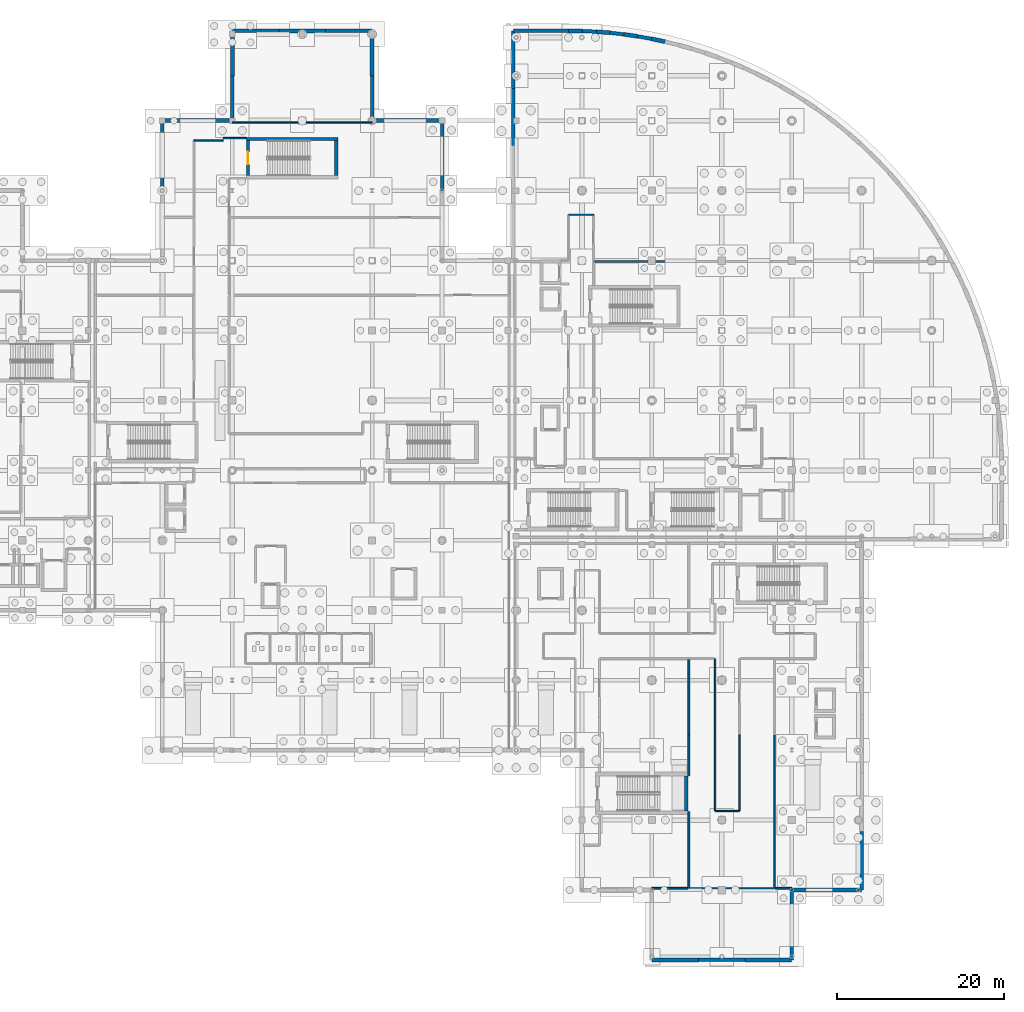
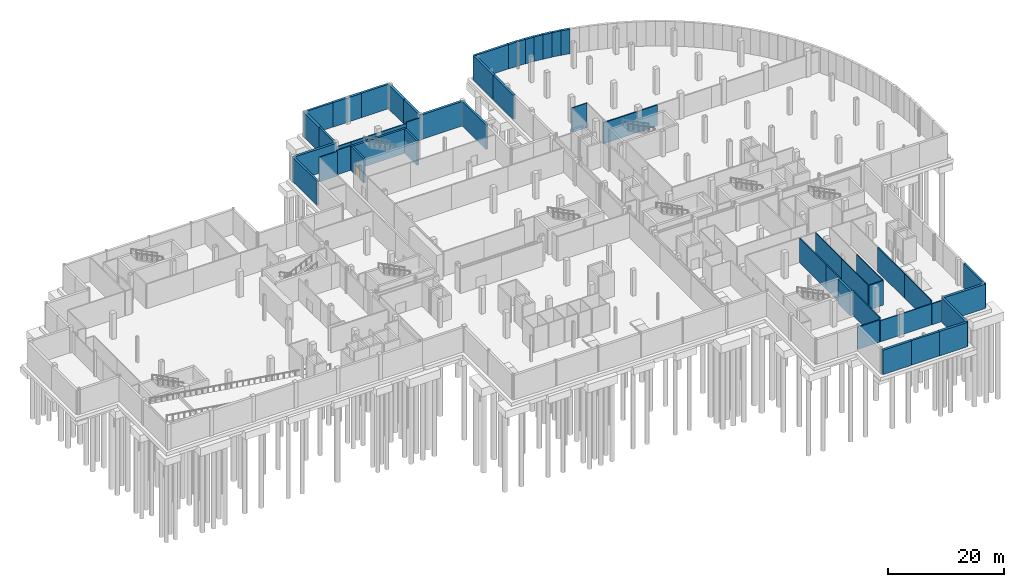
# One storey, part 33 of 49: 50 walls, 1 door, 1 opening.
"""IFC4 building model written with IfcOpenShell, lengths in metres."""

from ifc_helpers import new_model, si_unit, direction, frame, frame_2d, origin, place, context, subcontext, project, spatial, rectangle, extrude, material, layer, layer_set, type_object, element, fill, save


model = new_model("IFC4")

# Units and contexts
model_context = context("Model", 3, precision=1e-05, world=origin(), true_north=direction((0.0, 1.0)))
body_context = subcontext(model_context, "Body", "Model", "MODEL_VIEW")
ifc_project = project(units=[si_unit("LENGTHUNIT", "METRE"), si_unit("AREAUNIT", "SQUARE_METRE"), si_unit("VOLUMEUNIT", "CUBIC_METRE"), si_unit("PLANEANGLEUNIT", "RADIAN"), si_unit("MASSUNIT", "GRAM", prefix="KILO"), si_unit("THERMODYNAMICTEMPERATUREUNIT", "KELVIN")], contexts=[model_context])

# Site, building, storey
site_placement = place(None, origin())
site = spatial("IfcSite", under=ifc_project, at=site_placement, CompositionType="ELEMENT")
building_placement = place(site_placement, origin())
building = spatial("IfcBuilding", under=site, at=building_placement, Name="Lustrewick Department Store", CompositionType="ELEMENT")
storey_placement = place(building_placement, frame((0.0, 0.0, -5.39990234375)))
storey = spatial("IfcBuildingStorey", under=building, at=storey_placement, Name="B1", CompositionType="ELEMENT", Elevation=-5.39990234375)

# Walls
ifc_material_1 = material(Name="Autoclaved aerated concrete blockwork and fire board", Category="masonry")
ifc_layer_1 = layer(ifc_material_1, 0.219970703125, Name="Autoclaved aerated concrete blockwork and fire board")
ifc_layer_set_1 = layer_set([ifc_layer_1], Name="Autoclaved aerated concrete blockwork and fire board")
wall_type_1 = type_object("IfcWallType", Name="PW01", PredefinedType="PARTITIONING", material=ifc_layer_set_1)
wall_1_placement = place(storey_placement, frame((130.440185546875, 8.610107421875, 0.0), z_axis=(0.0, 0.0, 1.0), x_axis=(0.0, 1.0, 0.0)))
element("IfcWall", 1, at=wall_1_placement, inside=storey, type_object=wall_type_1, Name="B1 V3 Reserve Stockroom 1 PW01", PredefinedType="PARTITIONING", context=body_context, shape_type="SweptSolid", body=[
    extrude(rectangle(XDim=9.193115234375, YDim=0.219970703125, at=frame_2d((4.5966796875, 0.0))), origin(), (0.0, 0.0, 1.0), 5.14501953125),
])
wall_2_placement = place(storey_placement, frame((130.440185546875, 22.10009765625, 0.0), z_axis=(0.0, 0.0, 1.0), x_axis=(0.0, 1.0, 0.0)))
element("IfcWall", 2, at=wall_2_placement, inside=storey, type_object=wall_type_1, Name="B1 V3 Reserve Stockroom 1 PW01", PredefinedType="PARTITIONING", context=body_context, shape_type="SweptSolid", body=[
    extrude(rectangle(XDim=4.896484375, YDim=0.219970703125, at=frame_2d((2.4482421875, 0.0))), origin(), (0.0, 0.0, 1.0), 5.14501953125),
])
wall_3_placement = place(storey_placement, frame((130.440185546875, 26.99658203125, 0.0), z_axis=(0.0, 0.0, 1.0), x_axis=(0.0, 1.0, 0.0)))
element("IfcWall", 3, at=wall_3_placement, inside=storey, type_object=wall_type_1, Name="B1 V3 Reserve Stockroom 1 PW01", PredefinedType="PARTITIONING", context=body_context, shape_type="SweptSolid", body=[
    extrude(rectangle(XDim=9.08837890625, YDim=0.219970703125, at=frame_2d((4.544189453125, 0.0))), origin(), (0.0, 0.0, 1.0), 5.14501953125),
])
wall_4_placement = place(storey_placement, frame((126.0, 8.610107421875, 0.0), z_axis=(0.0, 0.0, 1.0), x_axis=(1.0, 0.0, 0.0)))
element("IfcWall", 4, at=wall_4_placement, inside=storey, type_object=wall_type_1, Name="B1 V3 Reserve Stockroom 1 PW01", PredefinedType="PARTITIONING", context=body_context, shape_type="SweptSolid", body=[
    extrude(rectangle(XDim=4.335205078125, YDim=0.219970703125, at=frame_2d((2.16748046875, 0.0))), origin(), (0.0, 0.0, 1.0), 4.671875),
])
wall_5_placement = place(storey_placement, frame((140.788818359375, 8.610107421875, 0.0), z_axis=(0.0, 0.0, 1.0), x_axis=(1.0, 0.0, 0.0)))
element("IfcWall", 5, at=wall_5_placement, inside=storey, type_object=wall_type_1, Name="B1 Merchandise Receiving Room PW01", PredefinedType="PARTITIONING", context=body_context, shape_type="SweptSolid", body=[
    extrude(rectangle(XDim=2.01123046875, YDim=0.219970703125, at=frame_2d((1.005615234375, 0.0))), origin(), (0.0, 0.0, 1.0), 4.421875),
])
wall_6_placement = place(storey_placement, frame((129.691650390625, 83.88818359375, 0.0), z_axis=(0.0, 0.0, 1.0), x_axis=(-1.0, 0.0, 0.0)))
element("IfcWall", 6, at=wall_6_placement, inside=storey, type_object=wall_type_1, Name="B1 Central Merchandise Stockroom PW01", PredefinedType="PARTITIONING", context=body_context, shape_type="SweptSolid", body=[
    extrude(rectangle(XDim=10.681640625, YDim=0.219970703125, at=frame_2d((5.3408203125, 0.0))), origin(), (0.0, 0.0, 1.0), 4.413818359375),
])
ifc_material_2 = material(Name="Double-stud gypsum fire board with mineral wool", Category="gypsum")
ifc_layer_2 = layer(ifc_material_2, 0.1650390625, Name="Double-stud gypsum fire board with mineral wool")
ifc_layer_set_2 = layer_set([ifc_layer_2], Name="Double-stud gypsum fire board with mineral wool")
wall_type_2 = type_object("IfcWallType", Name="PW04", PredefinedType="PARTITIONING", material=ifc_layer_set_2)
wall_7_placement = place(storey_placement, frame((71.0, 98.409912109375, 0.0), z_axis=(0.0, 0.0, 1.0), x_axis=(1.0, 0.0, 0.0)))
element("IfcWall", 7, at=wall_7_placement, inside=storey, type_object=wall_type_2, Name="B1 Standby Diesel Power Room PW04", PredefinedType="PARTITIONING", context=body_context, shape_type="SweptSolid", body=[
    extrude(rectangle(XDim=3.489990234375, YDim=0.1650390625, at=frame_2d((1.7451171875, 0.0))), origin(), (0.0, 0.0, 1.0), 5.14501953125),
])
wall_8_placement = place(storey_placement, frame((74.5, 98.7099609375, 0.0), z_axis=(0.0, 0.0, 1.0), x_axis=(1.0, 0.0, 0.0)))
element("IfcWall", 8, at=wall_8_placement, inside=storey, type_object=wall_type_2, Name="B1 Standby Diesel Power Room PW04", PredefinedType="PARTITIONING", context=body_context, shape_type="SweptSolid", body=[
    extrude(rectangle(XDim=2.800048828125, YDim=0.1650390625, at=frame_2d((1.39990234375, 0.0))), origin(), (0.0, 0.0, 1.0), 5.14501953125),
])
wall_9_placement = place(storey_placement, frame((92.39990234375, 100.590087890625, 0.0), z_axis=(0.0, 0.0, 1.0), x_axis=(-1.0, 0.0, 0.0)))
element("IfcWall", 9, at=wall_9_placement, inside=storey, type_object=wall_type_2, Name="B1 Standby Diesel Power Room PW04", PredefinedType="PARTITIONING", context=body_context, shape_type="SweptSolid", body=[
    extrude(rectangle(XDim=2.869873046875, YDim=0.1650390625, at=frame_2d((1.43505859375, 0.0))), origin(), (0.0, 0.0, 1.0), 4.671875),
])
wall_10_placement = place(storey_placement, frame((89.530029296875, 100.590087890625, 0.0), z_axis=(0.0, 0.0, 1.0), x_axis=(-1.0, 0.0, 0.0)))
element("IfcWall", 10, at=wall_10_placement, inside=storey, type_object=wall_type_2, Name="B1 Standby Diesel Power Room PW04", PredefinedType="PARTITIONING", context=body_context, shape_type="SweptSolid", body=[
    extrude(rectangle(XDim=11.06005859375, YDim=0.1650390625, at=frame_2d((5.530029296875, 0.0))), origin(), (0.0, 0.0, 1.0), 4.413818359375),
])
wall_11_placement = place(storey_placement, frame((78.469970703125, 100.590087890625, 0.0), z_axis=(0.0, 0.0, 1.0), x_axis=(-1.0, 0.0, 0.0)))
element("IfcWall", 11, at=wall_11_placement, inside=storey, type_object=wall_type_2, Name="B1 Standby Diesel Power Room PW04", PredefinedType="PARTITIONING", context=body_context, shape_type="SweptSolid", body=[
    extrude(rectangle(XDim=2.869873046875, YDim=0.1650390625, at=frame_2d((1.43505859375, 0.0))), origin(), (0.0, 0.0, 1.0), 4.413818359375),
])
for number, where, z_axis, x_axis, name in (
    (12, (136.510009765625, 27.044921875, 0.0), (0.0, 0.0, 1.0), (0.0, -1.0, 0.0), "B1 Fire Pump Room PW04"),
    (13, (133.590087890625, 17.89990234375, 0.0), (0.0, 0.0, 1.0), (0.0, 1.0, 0.0), "B1 Fire Pump Room PW04"),
    (14, (133.590087890625, 27.044921875, 0.0), (0.0, 0.0, 1.0), (0.0, 1.0, 0.0), "B1 Fire Pump Room PW04"),
):
    element("IfcWall", number, at=place(storey_placement, frame(where, z_axis=z_axis, x_axis=x_axis)), inside=storey, type_object=wall_type_2, Name=name, PredefinedType="PARTITIONING", context=body_context, shape_type="SweptSolid", body=[
        extrude(rectangle(XDim=9.14501953125, YDim=0.1650390625, at=frame_2d((4.572509765625, 0.0))), origin(), (0.0, 0.0, 1.0), 5.14501953125),
    ])
wall_12_placement = place(storey_placement, frame((136.5, 17.889892578125, 0.0), z_axis=(0.0, 0.0, 1.0), x_axis=(-1.0, 0.0, 0.0)))
element("IfcWall", 15, at=wall_12_placement, inside=storey, type_object=wall_type_2, Name="B1 Fire Pump Room PW04", PredefinedType="PARTITIONING", context=body_context, shape_type="SweptSolid", body=[
    extrude(rectangle(XDim=2.89990234375, YDim=0.1650390625, at=frame_2d((1.449951171875, 0.0))), origin(), (0.0, 0.0, 1.0), 5.14501953125),
])
wall_13_placement = place(storey_placement, frame((140.71142578125, 8.610107421875, 0.0), z_axis=(0.0, 0.0, 1.0), x_axis=(0.0, 1.0, 0.0)))
element("IfcWall", 16, at=wall_13_placement, inside=storey, type_object=wall_type_2, Name="B1 Fire Pump Room PW04", PredefinedType="PARTITIONING", context=body_context, shape_type="SweptSolid", body=[
    extrude(rectangle(XDim=9.193115234375, YDim=0.1650390625, at=frame_2d((4.5966796875, 0.0))), origin(), (0.0, 0.0, 1.0), 5.14501953125),
])
wall_14_placement = place(storey_placement, frame((140.71142578125, 17.80322265625, 0.0), z_axis=(0.0, 0.0, 1.0), x_axis=(0.0, 1.0, 0.0)))
element("IfcWall", 17, at=wall_14_placement, inside=storey, type_object=wall_type_2, Name="B1 Fire Pump Room PW04", PredefinedType="PARTITIONING", context=body_context, shape_type="SweptSolid", body=[
    extrude(rectangle(XDim=9.193359375, YDim=0.1650390625, at=frame_2d((4.5966796875, 0.0))), origin(), (0.0, 0.0, 1.0), 5.14501953125),
])
wall_15_placement = place(storey_placement, frame((130.545166015625, 8.610107421875, 0.0), z_axis=(0.0, 0.0, 1.0), x_axis=(1.0, 0.0, 0.0)))
element("IfcWall", 18, at=wall_15_placement, inside=storey, type_object=wall_type_2, Name="B1 Fire Pump Room PW04", PredefinedType="PARTITIONING", context=body_context, shape_type="SweptSolid", body=[
    extrude(rectangle(XDim=10.088623046875, YDim=0.1650390625, at=frame_2d((5.04443359375, 0.0))), origin(), (0.0, 0.0, 1.0), 4.421875),
])
wall_16_placement = place(storey_placement, frame((116.0, 89.510009765625, 0.0), z_axis=(0.0, 0.0, 1.0), x_axis=(1.0, 0.0, 0.0)))
element("IfcWall", 19, at=wall_16_placement, inside=storey, type_object=wall_type_2, Name="B1 AHU Mechanical Plant PW04", PredefinedType="PARTITIONING", context=body_context, shape_type="SweptSolid", body=[
    extrude(rectangle(XDim=3.0, YDim=0.1650390625, at=frame_2d((1.5, 0.0))), origin(), (0.0, 0.0, 1.0), 5.14501953125),
])
ifc_material_3 = material(Name="Concrete C40", Category="concrete")
ifc_layer_3 = layer(ifc_material_3, 0.419921875, Name="Concrete C40")
ifc_layer_set_3 = layer_set([ifc_layer_3], Name="Concrete C40")
wall_type_3 = type_object("IfcWallType", Name="RW01", PredefinedType="USERDEFINED", material=ifc_layer_set_3)
wall_17_placement = place(storey_placement, frame((67.199951171875, 92.39990234375, 0.0), z_axis=(0.0, 0.0, 1.0), x_axis=(0.0, 1.0, 0.0)))
element("IfcWall", 20, at=wall_17_placement, inside=storey, type_object=wall_type_3, Name="B1 Retaining Wall RW01 0039", ObjectType="RETAININGWALL", PredefinedType="USERDEFINED", context=body_context, shape_type="SweptSolid", body=[
    extrude(rectangle(XDim=8.400146484375, YDim=0.419921875, at=frame_2d((4.2001953125, 0.0))), origin(), (0.0, 0.0, 1.0), 5.1298828125),
])
wall_18_placement = place(storey_placement, frame((75.60009765625, 100.800048828125, 0.0), z_axis=(0.0, 0.0, 1.0), x_axis=(0.0, 1.0, 0.0)))
element("IfcWall", 21, at=wall_18_placement, inside=storey, type_object=wall_type_3, Name="B1 Retaining Wall RW01 0041", ObjectType="RETAININGWALL", PredefinedType="USERDEFINED", context=body_context, shape_type="SweptSolid", body=[
    extrude(rectangle(XDim=5.39990234375, YDim=0.419921875, at=frame_2d((2.699951171875, 0.0))), origin(), (0.0, 0.0, 1.0), 5.1298828125),
])
for number, where, z_axis, x_axis, name in (
    (22, (75.60009765625, 111.60009765625, 0.0), (0.0, 0.0, 1.0), (1.0, 0.0, 0.0), "B1 Retaining Wall RW01 0043"),
    (23, (86.800048828125, 111.60009765625, 0.0), (0.0, 0.0, 1.0), (1.0, 0.0, 0.0), "B1 Retaining Wall RW01 0045"),
):
    element("IfcWall", number, at=place(storey_placement, frame(where, z_axis=z_axis, x_axis=x_axis)), inside=storey, type_object=wall_type_3, Name=name, ObjectType="RETAININGWALL", PredefinedType="USERDEFINED", context=body_context, shape_type="SweptSolid", body=[
        extrude(rectangle(XDim=5.599853515625, YDim=0.419921875, at=frame_2d((2.7998046875, 0.0))), origin(), (0.0, 0.0, 1.0), 5.1298828125),
    ])
wall_19_placement = place(storey_placement, frame((92.39990234375, 106.199951171875, 0.0), z_axis=(0.0, 0.0, 1.0), x_axis=(0.0, -1.0, 0.0)))
element("IfcWall", 24, at=wall_19_placement, inside=storey, type_object=wall_type_3, Name="B1 Retaining Wall RW01 0047", ObjectType="RETAININGWALL", PredefinedType="USERDEFINED", context=body_context, shape_type="SweptSolid", body=[
    extrude(rectangle(XDim=5.39990234375, YDim=0.419921875, at=frame_2d((2.699951171875, 0.0))), origin(), (0.0, 0.0, 1.0), 5.1298828125),
])
wall_20_placement = place(storey_placement, frame((100.800048828125, 100.800048828125, 0.0), z_axis=(0.0, 0.0, 1.0), x_axis=(0.0, -1.0, 0.0)))
element("IfcWall", 25, at=wall_20_placement, inside=storey, type_object=wall_type_3, Name="B1 Retaining Wall RW01 0049", ObjectType="RETAININGWALL", PredefinedType="USERDEFINED", context=body_context, shape_type="SweptSolid", body=[
    extrude(rectangle(XDim=8.400146484375, YDim=0.419921875, at=frame_2d((4.2001953125, 0.0))), origin(), (0.0, 0.0, 1.0), 5.1298828125),
])
wall_21_placement = place(storey_placement, frame((109.35009765625, 97.800048828125, 0.0), z_axis=(0.0, 0.0, 1.0), x_axis=(0.0, 1.0, 0.0)))
element("IfcWall", 26, at=wall_21_placement, inside=storey, type_object=wall_type_3, Name="B1 Retaining Wall RW01 0055", ObjectType="RETAININGWALL", PredefinedType="USERDEFINED", context=body_context, shape_type="SweptSolid", body=[
    extrude(rectangle(XDim=6.89990234375, YDim=0.419921875, at=frame_2d((3.449951171875, 0.0))), origin(), (0.0, 0.0, 1.0), 5.1298828125),
])
wall_22_placement = place(storey_placement, frame((109.35009765625, 111.60009765625, 0.0), z_axis=(0.0, 0.0, 1.0), x_axis=(1.0, 0.0, 0.0)))
element("IfcWall", 27, at=wall_22_placement, inside=storey, type_object=wall_type_3, Name="B1 Retaining Wall RW01 0057", ObjectType="RETAININGWALL", PredefinedType="USERDEFINED", context=body_context, shape_type="SweptSolid", body=[
    extrude(rectangle(XDim=6.64990234375, YDim=0.419921875, at=frame_2d((3.324951171875, 0.0))), origin(), (0.0, 0.0, 1.0), 5.1298828125),
])
for number, where, z_axis, x_axis, name in (
    (28, (117.666748046875, 111.5732421875, 0.0), (0.0, 0.0, 1.0), (0.998845493608, -0.048038316995, 0.0), "B1 Retaining Wall RW01 0059"),
    (29, (120.9931640625, 111.359619140625, 0.0), (0.0, 0.0, 1.0), (0.993720125117, -0.111894204214, 0.0), "B1 Retaining Wall RW01 0061"),
):
    element("IfcWall", number, at=place(storey_placement, frame(where, z_axis=z_axis, x_axis=x_axis)), inside=storey, type_object=wall_type_3, Name=name, ObjectType="RETAININGWALL", PredefinedType="USERDEFINED", context=body_context, shape_type="SweptSolid", body=[
        extrude(rectangle(XDim=1.6669921875, YDim=0.419921875, at=frame_2d((0.83349609375, 0.0))), origin(), (0.0, 0.0, 1.0), 5.1298828125),
    ])
wall_23_placement = place(storey_placement, frame((124.29931640625, 110.93359375, 0.0), z_axis=(0.0, 0.0, 1.0), x_axis=(0.984482750638, -0.175481377066, 0.0)))
element("IfcWall", 30, at=wall_23_placement, inside=storey, type_object=wall_type_3, Name="B1 Retaining Wall RW01 0063", ObjectType="RETAININGWALL", PredefinedType="USERDEFINED", context=body_context, shape_type="SweptSolid", body=[
    extrude(rectangle(XDim=1.666748046875, YDim=0.419921875, at=frame_2d((0.83349609375, 0.0))), origin(), (0.0, 0.0, 1.0), 5.1298828125),
])
wall_24_placement = place(storey_placement, frame((151.199951171875, 15.425048828125, 0.0), z_axis=(0.0, 0.0, 1.0), x_axis=(0.0, -1.0, 0.0)))
element("IfcWall", 31, at=wall_24_placement, inside=storey, type_object=wall_type_3, Name="B1 Retaining Wall RW01 0117", ObjectType="RETAININGWALL", PredefinedType="USERDEFINED", context=body_context, shape_type="SweptSolid", body=[
    extrude(rectangle(XDim=7.025146484375, YDim=0.419921875, at=frame_2d((3.5126953125, 0.0))), origin(), (0.0, 0.0, 1.0), 5.1298828125),
])
wall_25_placement = place(storey_placement, frame((142.800048828125, 8.39990234375, 0.0), z_axis=(0.0, 0.0, 1.0), x_axis=(0.0, -1.0, 0.0)))
element("IfcWall", 32, at=wall_25_placement, inside=storey, type_object=wall_type_3, Name="B1 Retaining Wall RW01 0119", ObjectType="RETAININGWALL", PredefinedType="USERDEFINED", context=body_context, shape_type="SweptSolid", body=[
    extrude(rectangle(XDim=8.39990234375, YDim=0.419921875, at=frame_2d((4.199951171875, 0.0))), origin(), (0.0, 0.0, 1.0), 5.1298828125),
])
wall_26_placement = place(storey_placement, frame((137.199951171875, 0.0, 0.0), z_axis=(0.0, 0.0, 1.0), x_axis=(-1.0, 0.0, 0.0)))
element("IfcWall", 33, at=wall_26_placement, inside=storey, type_object=wall_type_3, Name="B1 Retaining Wall RW01 0121", ObjectType="RETAININGWALL", PredefinedType="USERDEFINED", context=body_context, shape_type="SweptSolid", body=[
    extrude(rectangle(XDim=5.599853515625, YDim=0.419921875, at=frame_2d((2.7998046875, 0.0))), origin(), (0.0, 0.0, 1.0), 5.1298828125),
])
ifc_layer_4 = layer(ifc_material_3, 0.47998046875, Name="Concrete C40")
ifc_layer_set_4 = layer_set([ifc_layer_4], Name="Concrete C40")
wall_type_4 = type_object("IfcWallType", Name="RW02", PredefinedType="USERDEFINED", material=ifc_layer_set_4)
wall_27_placement = place(storey_placement, frame((67.199951171875, 100.800048828125, 0.0), z_axis=(0.0, 0.0, 1.0), x_axis=(1.0, 0.0, 0.0)))
element("IfcWall", 34, at=wall_27_placement, inside=storey, type_object=wall_type_4, Name="B1 Retaining Wall RW02 0040", ObjectType="RETAININGWALL", PredefinedType="USERDEFINED", context=body_context, shape_type="SweptSolid", body=[
    extrude(rectangle(XDim=8.400146484375, YDim=0.47998046875, at=frame_2d((4.2001953125, 0.0))), origin(), (0.0, 0.0, 1.0), 5.1298828125),
])
wall_28_placement = place(storey_placement, frame((75.60009765625, 106.199951171875, 0.0), z_axis=(0.0, 0.0, 1.0), x_axis=(0.0, 1.0, 0.0)))
element("IfcWall", 35, at=wall_28_placement, inside=storey, type_object=wall_type_4, Name="B1 Retaining Wall RW02 0042", ObjectType="RETAININGWALL", PredefinedType="USERDEFINED", context=body_context, shape_type="SweptSolid", body=[
    extrude(rectangle(XDim=5.400146484375, YDim=0.47998046875, at=frame_2d((2.7001953125, 0.0))), origin(), (0.0, 0.0, 1.0), 5.1298828125),
])
wall_29_placement = place(storey_placement, frame((81.199951171875, 111.60009765625, 0.0), z_axis=(0.0, 0.0, 1.0), x_axis=(1.0, 0.0, 0.0)))
element("IfcWall", 36, at=wall_29_placement, inside=storey, type_object=wall_type_4, Name="B1 Retaining Wall RW02 0044", ObjectType="RETAININGWALL", PredefinedType="USERDEFINED", context=body_context, shape_type="SweptSolid", body=[
    extrude(rectangle(XDim=5.60009765625, YDim=0.47998046875, at=frame_2d((2.800048828125, 0.0))), origin(), (0.0, 0.0, 1.0), 5.1298828125),
])
wall_30_placement = place(storey_placement, frame((92.39990234375, 111.60009765625, 0.0), z_axis=(0.0, 0.0, 1.0), x_axis=(0.0, -1.0, 0.0)))
element("IfcWall", 37, at=wall_30_placement, inside=storey, type_object=wall_type_4, Name="B1 Retaining Wall RW02 0046", ObjectType="RETAININGWALL", PredefinedType="USERDEFINED", context=body_context, shape_type="SweptSolid", body=[
    extrude(rectangle(XDim=5.400146484375, YDim=0.47998046875, at=frame_2d((2.7001953125, 0.0))), origin(), (0.0, 0.0, 1.0), 5.1298828125),
])
wall_31_placement = place(storey_placement, frame((92.39990234375, 100.800048828125, 0.0), z_axis=(0.0, 0.0, 1.0), x_axis=(1.0, 0.0, 0.0)))
element("IfcWall", 38, at=wall_31_placement, inside=storey, type_object=wall_type_4, Name="B1 Retaining Wall RW02 0048", ObjectType="RETAININGWALL", PredefinedType="USERDEFINED", context=body_context, shape_type="SweptSolid", body=[
    extrude(rectangle(XDim=8.400146484375, YDim=0.47998046875, at=frame_2d((4.2001953125, 0.0))), origin(), (0.0, 0.0, 1.0), 5.1298828125),
])
wall_32_placement = place(storey_placement, frame((109.35009765625, 104.699951171875, 0.0), z_axis=(0.0, 0.0, 1.0), x_axis=(0.0, 1.0, 0.0)))
element("IfcWall", 39, at=wall_32_placement, inside=storey, type_object=wall_type_4, Name="B1 Retaining Wall RW02 0056", ObjectType="RETAININGWALL", PredefinedType="USERDEFINED", context=body_context, shape_type="SweptSolid", body=[
    extrude(rectangle(XDim=6.900146484375, YDim=0.47998046875, at=frame_2d((3.4501953125, 0.0))), origin(), (0.0, 0.0, 1.0), 5.1298828125),
])
wall_33_placement = place(storey_placement, frame((116.0, 111.60009765625, 0.0), z_axis=(0.0, 0.0, 1.0), x_axis=(0.999870219029, -0.016110403412, 0.0)))
element("IfcWall", 40, at=wall_33_placement, inside=storey, type_object=wall_type_4, Name="B1 Retaining Wall RW02 0058", ObjectType="RETAININGWALL", PredefinedType="USERDEFINED", context=body_context, shape_type="SweptSolid", body=[
    extrude(rectangle(XDim=1.6669921875, YDim=0.47998046875, at=frame_2d((0.83349609375, 0.0))), origin(), (0.0, 0.0, 1.0), 5.1298828125),
])
wall_34_placement = place(storey_placement, frame((119.331787109375, 111.4931640625, 0.0), z_axis=(0.0, 0.0, 1.0), x_axis=(0.996784932968, -0.080123638256, 0.0)))
element("IfcWall", 41, at=wall_34_placement, inside=storey, type_object=wall_type_4, Name="B1 Retaining Wall RW02 0060", ObjectType="RETAININGWALL", PredefinedType="USERDEFINED", context=body_context, shape_type="SweptSolid", body=[
    extrude(rectangle(XDim=1.666748046875, YDim=0.47998046875, at=frame_2d((0.83349609375, 0.0))), origin(), (0.0, 0.0, 1.0), 5.1298828125),
])
for number, where, z_axis, x_axis, name in (
    (42, (122.649658203125, 111.173095703125, 0.0), (0.0, 0.0, 1.0), (0.989624714051, -0.143676460631, 0.0), "B1 Retaining Wall RW02 0062"),
    (43, (125.940185546875, 110.64111328125, 0.0), (0.0, 0.0, 1.0), (0.978381628468, -0.206807613682, 0.0), "B1 Retaining Wall RW02 0064"),
):
    element("IfcWall", number, at=place(storey_placement, frame(where, z_axis=z_axis, x_axis=x_axis)), inside=storey, type_object=wall_type_4, Name=name, ObjectType="RETAININGWALL", PredefinedType="USERDEFINED", context=body_context, shape_type="SweptSolid", body=[
        extrude(rectangle(XDim=1.6669921875, YDim=0.47998046875, at=frame_2d((0.83349609375, 0.0))), origin(), (0.0, 0.0, 1.0), 5.1298828125),
    ])
wall_35_placement = place(storey_placement, frame((151.199951171875, 8.39990234375, 0.0), z_axis=(0.0, 0.0, 1.0), x_axis=(-1.0, 0.0, 0.0)))
element("IfcWall", 44, at=wall_35_placement, inside=storey, type_object=wall_type_4, Name="B1 Retaining Wall RW02 0118", ObjectType="RETAININGWALL", PredefinedType="USERDEFINED", context=body_context, shape_type="SweptSolid", body=[
    extrude(rectangle(XDim=8.39990234375, YDim=0.47998046875, at=frame_2d((4.199951171875, 0.0))), origin(), (0.0, 0.0, 1.0), 5.1298828125),
])
for number, where, z_axis, x_axis, name in (
    (45, (142.800048828125, 0.0, 0.0), (0.0, 0.0, 1.0), (-1.0, 0.0, 0.0), "B1 Retaining Wall RW02 0120"),
    (46, (131.60009765625, 0.0, 0.0), (0.0, 0.0, 1.0), (-1.0, 0.0, 0.0), "B1 Retaining Wall RW02 0122"),
):
    element("IfcWall", number, at=place(storey_placement, frame(where, z_axis=z_axis, x_axis=x_axis)), inside=storey, type_object=wall_type_4, Name=name, ObjectType="RETAININGWALL", PredefinedType="USERDEFINED", context=body_context, shape_type="SweptSolid", body=[
        extrude(rectangle(XDim=5.60009765625, YDim=0.47998046875, at=frame_2d((2.800048828125, 0.0))), origin(), (0.0, 0.0, 1.0), 5.1298828125),
    ])
ifc_material_4 = material(Name="Concrete C50", Category="concrete")
ifc_layer_5 = layer(ifc_material_4, 0.449951171875, Name="Concrete C50")
ifc_layer_set_5 = layer_set([ifc_layer_5], Name="Concrete C50")
wall_type_5 = type_object("IfcWallType", Name="SW01", PredefinedType="SHEAR", material=ifc_layer_set_5)
wall_36_placement = place(storey_placement, frame((130.125, 17.89990234375, 0.0), z_axis=(0.0, 0.0, 1.0), x_axis=(0.0, 1.0, 0.0)))
element("IfcWall", 47, at=wall_36_placement, inside=storey, type_object=wall_type_5, Name="B1 Stair Core ST07 Shear Wall E", PredefinedType="SHEAR", context=body_context, shape_type="SweptSolid", body=[
    extrude(rectangle(XDim=4.2001953125, YDim=0.449951171875, at=frame_2d((2.10009765625, 0.0))), origin(), (0.0, 0.0, 1.0), 5.14501953125),
])
ifc_layer_6 = layer(ifc_material_4, 0.39990234375, Name="Concrete C50")
ifc_layer_set_6 = layer_set([ifc_layer_6], Name="Concrete C50")
wall_type_6 = type_object("IfcWallType", Name="SW02", PredefinedType="SHEAR", material=ifc_layer_set_6)
wall_37_placement = place(storey_placement, frame((88.10009765625, 94.199951171875, 0.0), z_axis=(0.0, 0.0, 1.0), x_axis=(0.0, 1.0, 0.0)))
element("IfcWall", 48, at=wall_37_placement, inside=storey, type_object=wall_type_6, Name="B1 Stair Core ST06 Shear Wall E", PredefinedType="SHEAR", context=body_context, shape_type="SweptSolid", body=[
    extrude(rectangle(XDim=4.199951171875, YDim=0.39990234375, at=frame_2d((2.10009765625, 0.0))), origin(), (0.0, 0.0, 1.0), 5.14501953125),
])
wall_38_placement = place(storey_placement, frame((88.300048828125, 98.60009765625, 0.0), z_axis=(0.0, 0.0, 1.0), x_axis=(-1.0, 0.0, 0.0)))
element("IfcWall", 49, at=wall_38_placement, inside=storey, type_object=wall_type_6, Name="B1 Stair Core ST06 Shear Wall N", PredefinedType="SHEAR", context=body_context, shape_type="SweptSolid", body=[
    extrude(rectangle(XDim=11.0, YDim=0.39990234375, at=frame_2d((5.5, 0.0))), origin(), (0.0, 0.0, 1.0), 5.14501953125),
])

# Wall, opening, door
wall_39_placement = place(storey_placement, frame((77.5, 98.39990234375, 0.0), z_axis=(0.0, 0.0, 1.0), x_axis=(0.0, -1.0, 0.0)))
wall_39 = element("IfcWall", 50, at=wall_39_placement, inside=storey, type_object=wall_type_6, Name="B1 Stair Core ST06 Shear Wall W", PredefinedType="SHEAR", context=body_context, shape_type="SweptSolid", body=[
    extrude(rectangle(XDim=4.199951171875, YDim=0.39990234375, at=frame_2d((2.10009765625, 0.0))), origin(), (0.0, 0.0, 1.0), 5.14501953125),
])
opening_placement = place(wall_39_placement, frame((1.35009765625, 0.0, 0.0)))
opening = element("IfcOpeningElement", 51, at=opening_placement, cuts=wall_39, Name="Opening D-B1-006", PredefinedType="OPENING", context=body_context, shape_type="SweptSolid", body=[
    extrude(rectangle(XDim=1.5, YDim=2.14990234375, at=frame_2d((0.75, 1.074951171875))), frame((0.0, 0.2099609375, 0.0), z_axis=(0.0, -1.0, 0.0), x_axis=(1.0, 0.0, 0.0)), (0.0, 0.0, 1.0), 0.419921875),
])
ifc_material_5 = material(Name="Steel fire door Class B EI 60", Category="steel")
door_type = type_object("IfcDoorType", Name="DT-07", OperationType="NOTDEFINED", PredefinedType="DOOR", material=ifc_material_5)
door_placement = place(opening_placement, origin())
door = element("IfcDoor", 52, at=door_placement, inside=storey, type_object=door_type, Name="B1 Smoke-Proof Stair ST06 Fire Door", OperationType="SINGLE_SWING_LEFT", OverallHeight=2.14990234375, OverallWidth=1.5, PredefinedType="DOOR", context=body_context, shape_type="SweptSolid", body=[
    extrude(rectangle(XDim=1.5, YDim=2.14990234375, at=frame_2d((0.75, 1.074951171875))), frame((0.0, 0.02490234375, 0.0), z_axis=(0.0, -1.0, 0.0), x_axis=(1.0, 0.0, 0.0)), (0.0, 0.0, 1.0), 0.050048828125),
])
fill(opening, door)

save(model, "model.ifc")
